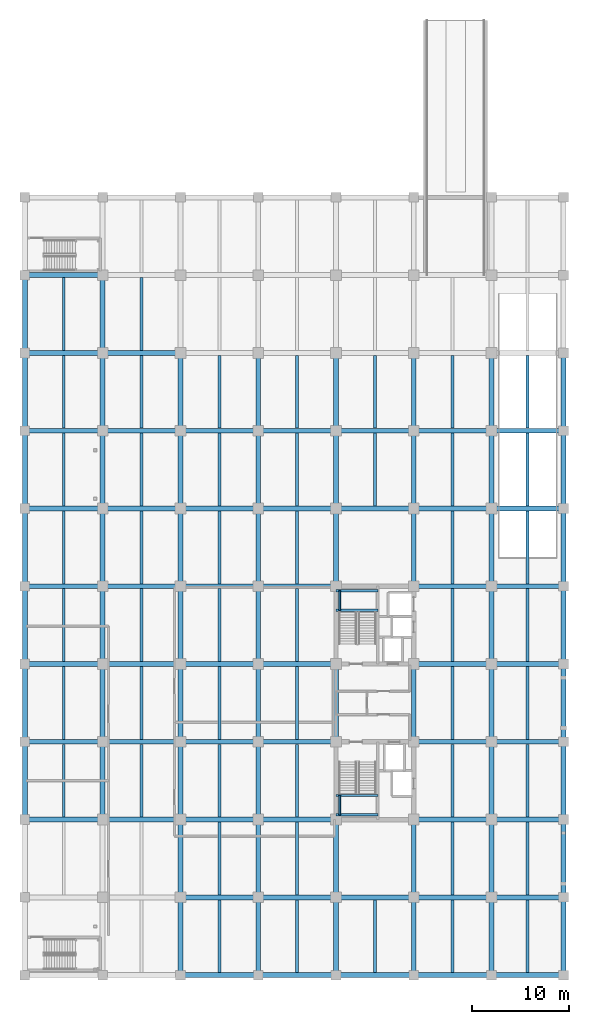
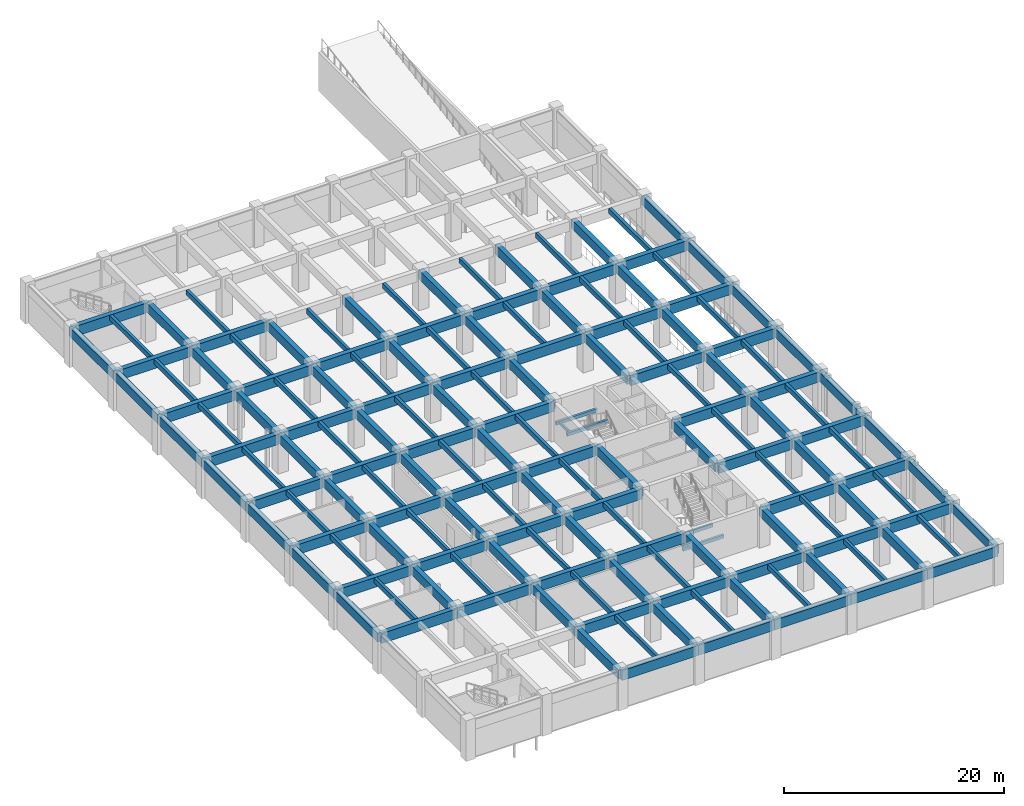
# One storey, part 7 of 16: 164 beams.
"""IFC4 building model written with IfcOpenShell, lengths in metres."""

from ifc_helpers import new_model, si_unit, direction, frame, origin, origin_2d, place, context, subcontext, project, spatial, rectangle, extrude, material, material_profile, profile_set, type_object, element, save


model = new_model("IFC4")

# Units and contexts
model_context = context("Model", 3, precision=1e-05, world=origin(), true_north=direction((0.0, 1.0)))
body_context = subcontext(model_context, "Body", "Model", "MODEL_VIEW")
ifc_project = project(units=[si_unit("LENGTHUNIT", "METRE"), si_unit("AREAUNIT", "SQUARE_METRE"), si_unit("VOLUMEUNIT", "CUBIC_METRE"), si_unit("PLANEANGLEUNIT", "RADIAN"), si_unit("MASSUNIT", "GRAM", prefix="KILO")], contexts=[model_context])

# Site, building, storey
site_placement = place(None, origin())
site = spatial("IfcSite", under=ifc_project, at=site_placement, CompositionType="ELEMENT")
building_placement = place(site_placement, origin())
building = spatial("IfcBuilding", under=site, at=building_placement, Name="Canggui Botanical Conservatory", CompositionType="ELEMENT")
storey_placement = place(building_placement, frame((0.0, 0.0, -4.5)))
storey = spatial("IfcBuildingStorey", under=building, at=storey_placement, Name="B1", CompositionType="ELEMENT", Elevation=-4.5)

# Beams
ifc_material = material(Name="Concrete C35", Category="concrete")
ifc_material_profile_1 = material_profile(ifc_material, rectangle(XDim=0.300048828125, YDim=0.550048828125, at=origin_2d()), Name="RB 300x550")
ifc_profile_set_1 = profile_set([ifc_material_profile_1], Name="Concrete C35")
beam_type_1 = type_object("IfcBeamType", Name="BM-JST01", PredefinedType="JOIST", material=ifc_profile_set_1)
for number, where, z_axis, x_axis, name in (
    (1, (126.0, 42.2548828125, 3.875), (0.0, 1.0, 0.0), (-1.0, 0.0, 0.0), "Secondary Floor Joist B1-1-3"),
    (2, (126.0, 50.2548828125, 3.875), (0.0, 1.0, 0.0), (-1.0, 0.0, 0.0), "Secondary Floor Joist B1-1-4"),
    (3, (126.0, 58.2548828125, 3.875), (0.0, 1.0, 0.0), (-1.0, 0.0, 0.0), "Secondary Floor Joist B1-1-5"),
    (4, (126.0, 66.2548828125, 3.875), (0.0, 1.0, 0.0), (-1.0, 0.0, 0.0), "Secondary Floor Joist B1-1-6"),
    (5, (126.0, 74.2548828125, 3.875), (0.0, 1.0, 0.0), (-1.0, 0.0, 0.0), "Secondary Floor Joist B1-1-7"),
    (6, (126.0, 82.2548828125, 3.875), (0.0, 1.0, 0.0), (-1.0, 0.0, 0.0), "Secondary Floor Joist B1-1-8"),
    (7, (126.0, 90.2548828125, 3.875), (0.0, 1.0, 0.0), (-1.0, 0.0, 0.0), "Secondary Floor Joist B1-1-9"),
    (8, (134.0, 42.2548828125, 3.875), (0.0, 1.0, 0.0), (-1.0, 0.0, 0.0), "Secondary Floor Joist B1-2-3"),
    (9, (134.0, 50.2548828125, 3.875), (0.0, 1.0, 0.0), (-1.0, 0.0, 0.0), "Secondary Floor Joist B1-2-4"),
    (10, (134.0, 58.2548828125, 3.875), (0.0, 1.0, 0.0), (-1.0, 0.0, 0.0), "Secondary Floor Joist B1-2-5"),
    (11, (134.0, 66.2548828125, 3.875), (0.0, 1.0, 0.0), (-1.0, 0.0, 0.0), "Secondary Floor Joist B1-2-6"),
    (12, (134.0, 74.2548828125, 3.875), (0.0, 1.0, 0.0), (-1.0, 0.0, 0.0), "Secondary Floor Joist B1-2-7"),
    (13, (134.0, 82.2548828125, 3.875), (0.0, 1.0, 0.0), (-1.0, 0.0, 0.0), "Secondary Floor Joist B1-2-8"),
    (14, (134.0, 90.2548828125, 3.875), (0.0, 1.0, 0.0), (-1.0, 0.0, 0.0), "Secondary Floor Joist B1-2-9"),
    (15, (142.0, 26.2548828125, 3.875), (0.0, 1.0, 0.0), (-1.0, 0.0, 0.0), "Secondary Floor Joist B1-3-1"),
    (16, (142.0, 34.2548828125, 3.875), (0.0, 1.0, 0.0), (-1.0, 0.0, 0.0), "Secondary Floor Joist B1-3-2"),
    (17, (142.0, 42.2548828125, 3.875), (0.0, 1.0, 0.0), (-1.0, 0.0, 0.0), "Secondary Floor Joist B1-3-3"),
    (18, (142.0, 50.2548828125, 3.875), (0.0, 1.0, 0.0), (-1.0, 0.0, 0.0), "Secondary Floor Joist B1-3-4"),
    (19, (142.0, 58.2548828125, 3.875), (0.0, 1.0, 0.0), (-1.0, 0.0, 0.0), "Secondary Floor Joist B1-3-5"),
    (20, (142.0, 66.2548828125, 3.875), (0.0, 1.0, 0.0), (-1.0, 0.0, 0.0), "Secondary Floor Joist B1-3-6"),
    (21, (142.0, 74.2548828125, 3.875), (0.0, 1.0, 0.0), (-1.0, 0.0, 0.0), "Secondary Floor Joist B1-3-7"),
    (22, (142.0, 82.2548828125, 3.875), (0.0, 1.0, 0.0), (-1.0, 0.0, 0.0), "Secondary Floor Joist B1-3-8"),
    (23, (150.0, 26.2548828125, 3.875), (0.0, 1.0, 0.0), (-1.0, 0.0, 0.0), "Secondary Floor Joist B1-4-1"),
    (24, (150.0, 34.2548828125, 3.875), (0.0, 1.0, 0.0), (-1.0, 0.0, 0.0), "Secondary Floor Joist B1-4-2"),
    (25, (150.0, 42.2548828125, 3.875), (0.0, 1.0, 0.0), (-1.0, 0.0, 0.0), "Secondary Floor Joist B1-4-3"),
    (26, (150.0, 50.2548828125, 3.875), (0.0, 1.0, 0.0), (-1.0, 0.0, 0.0), "Secondary Floor Joist B1-4-4"),
    (27, (150.0, 58.2548828125, 3.875), (0.0, 1.0, 0.0), (-1.0, 0.0, 0.0), "Secondary Floor Joist B1-4-5"),
    (28, (150.0, 66.2548828125, 3.875), (0.0, 1.0, 0.0), (-1.0, 0.0, 0.0), "Secondary Floor Joist B1-4-6"),
    (29, (150.0, 74.2548828125, 3.875), (0.0, 1.0, 0.0), (-1.0, 0.0, 0.0), "Secondary Floor Joist B1-4-7"),
    (30, (150.0, 82.2548828125, 3.875), (0.0, 1.0, 0.0), (-1.0, 0.0, 0.0), "Secondary Floor Joist B1-4-8"),
    (31, (158.0, 26.2548828125, 3.875), (0.0, 1.0, 0.0), (-1.0, 0.0, 0.0), "Secondary Floor Joist B1-5-1"),
    (32, (158.0, 74.2548828125, 3.875), (0.0, 1.0, 0.0), (-1.0, 0.0, 0.0), "Secondary Floor Joist B1-5-7"),
    (33, (158.0, 82.2548828125, 3.875), (0.0, 1.0, 0.0), (-1.0, 0.0, 0.0), "Secondary Floor Joist B1-5-8"),
    (34, (166.0, 26.2548828125, 3.875), (0.0, 1.0, 0.0), (-1.0, 0.0, 0.0), "Secondary Floor Joist B1-6-1"),
    (35, (166.0, 34.2548828125, 3.875), (0.0, 1.0, 0.0), (-1.0, 0.0, 0.0), "Secondary Floor Joist B1-6-2"),
    (36, (166.0, 42.2548828125, 3.875), (0.0, 1.0, 0.0), (-1.0, 0.0, 0.0), "Secondary Floor Joist B1-6-3"),
    (37, (166.0, 50.2548828125, 3.875), (0.0, 1.0, 0.0), (-1.0, 0.0, 0.0), "Secondary Floor Joist B1-6-4"),
    (38, (166.0, 58.2548828125, 3.875), (0.0, 1.0, 0.0), (-1.0, 0.0, 0.0), "Secondary Floor Joist B1-6-5"),
    (39, (166.0, 66.2548828125, 3.875), (0.0, 1.0, 0.0), (-1.0, 0.0, 0.0), "Secondary Floor Joist B1-6-6"),
    (40, (166.0, 74.2548828125, 3.875), (0.0, 1.0, 0.0), (-1.0, 0.0, 0.0), "Secondary Floor Joist B1-6-7"),
    (41, (166.0, 82.2548828125, 3.875), (0.0, 1.0, 0.0), (-1.0, 0.0, 0.0), "Secondary Floor Joist B1-6-8"),
    (42, (173.699951171875, 26.2548828125, 3.875), (0.0, 1.0, 0.0), (-1.0, 0.0, 0.0), "Secondary Floor Joist B1-7-1"),
    (43, (173.699951171875, 34.2548828125, 3.875), (0.0, 1.0, 0.0), (-1.0, 0.0, 0.0), "Secondary Floor Joist B1-7-2"),
    (44, (173.699951171875, 42.2548828125, 3.875), (0.0, 1.0, 0.0), (-1.0, 0.0, 0.0), "Secondary Floor Joist B1-7-3"),
    (45, (173.699951171875, 50.2548828125, 3.875), (0.0, 1.0, 0.0), (-1.0, 0.0, 0.0), "Secondary Floor Joist B1-7-4"),
    (46, (173.699951171875, 58.2548828125, 3.875), (0.0, 1.0, 0.0), (-1.0, 0.0, 0.0), "Secondary Floor Joist B1-7-5"),
    (47, (173.699951171875, 66.2548828125, 3.875), (0.0, 1.0, 0.0), (-1.0, 0.0, 0.0), "Secondary Floor Joist B1-7-6"),
    (48, (173.699951171875, 74.2548828125, 3.875), (0.0, 1.0, 0.0), (-1.0, 0.0, 0.0), "Secondary Floor Joist B1-7-7"),
    (49, (173.699951171875, 82.2548828125, 3.875), (0.0, 1.0, 0.0), (-1.0, 0.0, 0.0), "Secondary Floor Joist B1-7-8"),
):
    element("IfcBeam", number, at=place(storey_placement, frame(where, z_axis=z_axis, x_axis=x_axis)), inside=storey, type_object=beam_type_1, Name=name, PredefinedType="JOIST", context=body_context, shape_type="SweptSolid", body=[
        extrude(rectangle(XDim=0.300048828125, YDim=0.550048828125, at=origin_2d()), origin(), (0.0, 0.0, 1.0), 7.490234375),
    ])
ifc_material_profile_2 = material_profile(ifc_material, rectangle(XDim=0.5, YDim=1.10009765625, at=origin_2d()), Name="RB 500x1100")
ifc_profile_set_2 = profile_set([ifc_material_profile_2], Name="Concrete C35")
beam_type_2 = type_object("IfcBeamType", Name="BM-KL01", PredefinedType="BEAM", material=ifc_profile_set_2)
for number, where, z_axis, x_axis, name in (
    (50, (138.0, 26.0, 3.60009765625), (1.0, 0.0, 0.0), (0.0, 1.0, 0.0), "Frame Girder B1 Y26-3"),
    (51, (146.0, 26.0, 3.60009765625), (1.0, 0.0, 0.0), (0.0, 1.0, 0.0), "Frame Girder B1 Y26-4"),
    (52, (154.0, 26.0, 3.60009765625), (1.0, 0.0, 0.0), (0.0, 1.0, 0.0), "Frame Girder B1 Y26-5"),
    (53, (162.0, 26.0, 3.60009765625), (1.0, 0.0, 0.0), (0.0, 1.0, 0.0), "Frame Girder B1 Y26-6"),
):
    element("IfcBeam", number, at=place(storey_placement, frame(where, z_axis=z_axis, x_axis=x_axis)), inside=storey, type_object=beam_type_2, Name=name, PredefinedType="BEAM", context=body_context, shape_type="SweptSolid", body=[
        extrude(rectangle(XDim=0.5, YDim=1.10009765625, at=origin_2d()), origin(), (0.0, 0.0, 1.0), 8.0),
    ])
beam_1_placement = place(storey_placement, frame((170.0, 26.0, 3.60009765625), z_axis=(1.0, 0.0, 0.0), x_axis=(0.0, 1.0, 0.0)))
element("IfcBeam", 54, at=beam_1_placement, inside=storey, type_object=beam_type_2, Name="Frame Girder B1 Y26-7", PredefinedType="BEAM", context=body_context, shape_type="SweptSolid", body=[
    extrude(rectangle(XDim=0.5, YDim=1.10009765625, at=origin_2d()), origin(), (0.0, 0.0, 1.0), 7.39990234375),
])
for number, where, z_axis, x_axis, name in (
    (55, (138.0, 34.0, 3.60009765625), (1.0, 0.0, 0.0), (0.0, 1.0, 0.0), "Frame Girder B1 Y34-3"),
    (56, (146.0, 34.0, 3.60009765625), (1.0, 0.0, 0.0), (0.0, 1.0, 0.0), "Frame Girder B1 Y34-4"),
    (57, (154.0, 34.0, 3.60009765625), (1.0, 0.0, 0.0), (0.0, 1.0, 0.0), "Frame Girder B1 Y34-5"),
    (58, (162.0, 34.0, 3.60009765625), (1.0, 0.0, 0.0), (0.0, 1.0, 0.0), "Frame Girder B1 Y34-6"),
):
    element("IfcBeam", number, at=place(storey_placement, frame(where, z_axis=z_axis, x_axis=x_axis)), inside=storey, type_object=beam_type_2, Name=name, PredefinedType="BEAM", context=body_context, shape_type="SweptSolid", body=[
        extrude(rectangle(XDim=0.5, YDim=1.10009765625, at=origin_2d()), origin(), (0.0, 0.0, 1.0), 8.0),
    ])
beam_2_placement = place(storey_placement, frame((170.0, 34.0, 3.60009765625), z_axis=(1.0, 0.0, 0.0), x_axis=(0.0, 1.0, 0.0)))
element("IfcBeam", 59, at=beam_2_placement, inside=storey, type_object=beam_type_2, Name="Frame Girder B1 Y34-7", PredefinedType="BEAM", context=body_context, shape_type="SweptSolid", body=[
    extrude(rectangle(XDim=0.5, YDim=1.10009765625, at=origin_2d()), origin(), (0.0, 0.0, 1.0), 7.39990234375),
])
for number, where, z_axis, x_axis, name in (
    (60, (122.0, 42.0, 3.60009765625), (1.0, 0.0, 0.0), (0.0, 1.0, 0.0), "Frame Girder B1 Y42-1"),
    (61, (130.0, 42.0, 3.60009765625), (1.0, 0.0, 0.0), (0.0, 1.0, 0.0), "Frame Girder B1 Y42-2"),
    (62, (138.0, 42.0, 3.60009765625), (1.0, 0.0, 0.0), (0.0, 1.0, 0.0), "Frame Girder B1 Y42-3"),
    (63, (146.0, 42.0, 3.60009765625), (1.0, 0.0, 0.0), (0.0, 1.0, 0.0), "Frame Girder B1 Y42-4"),
    (64, (162.0, 42.0, 3.60009765625), (1.0, 0.0, 0.0), (0.0, 1.0, 0.0), "Frame Girder B1 Y42-6"),
):
    element("IfcBeam", number, at=place(storey_placement, frame(where, z_axis=z_axis, x_axis=x_axis)), inside=storey, type_object=beam_type_2, Name=name, PredefinedType="BEAM", context=body_context, shape_type="SweptSolid", body=[
        extrude(rectangle(XDim=0.5, YDim=1.10009765625, at=origin_2d()), origin(), (0.0, 0.0, 1.0), 8.0),
    ])
beam_3_placement = place(storey_placement, frame((170.0, 42.0, 3.60009765625), z_axis=(1.0, 0.0, 0.0), x_axis=(0.0, 1.0, 0.0)))
element("IfcBeam", 65, at=beam_3_placement, inside=storey, type_object=beam_type_2, Name="Frame Girder B1 Y42-7", PredefinedType="BEAM", context=body_context, shape_type="SweptSolid", body=[
    extrude(rectangle(XDim=0.5, YDim=1.10009765625, at=origin_2d()), origin(), (0.0, 0.0, 1.0), 7.39990234375),
])
for number, where, z_axis, x_axis, name in (
    (66, (122.0, 50.0, 3.60009765625), (1.0, 0.0, 0.0), (0.0, 1.0, 0.0), "Frame Girder B1 Y50-1"),
    (67, (130.0, 50.0, 3.60009765625), (1.0, 0.0, 0.0), (0.0, 1.0, 0.0), "Frame Girder B1 Y50-2"),
    (68, (138.0, 50.0, 3.60009765625), (1.0, 0.0, 0.0), (0.0, 1.0, 0.0), "Frame Girder B1 Y50-3"),
    (69, (146.0, 50.0, 3.60009765625), (1.0, 0.0, 0.0), (0.0, 1.0, 0.0), "Frame Girder B1 Y50-4"),
    (70, (162.0, 50.0, 3.60009765625), (1.0, 0.0, 0.0), (0.0, 1.0, 0.0), "Frame Girder B1 Y50-6"),
):
    element("IfcBeam", number, at=place(storey_placement, frame(where, z_axis=z_axis, x_axis=x_axis)), inside=storey, type_object=beam_type_2, Name=name, PredefinedType="BEAM", context=body_context, shape_type="SweptSolid", body=[
        extrude(rectangle(XDim=0.5, YDim=1.10009765625, at=origin_2d()), origin(), (0.0, 0.0, 1.0), 8.0),
    ])
beam_4_placement = place(storey_placement, frame((170.0, 50.0, 3.60009765625), z_axis=(1.0, 0.0, 0.0), x_axis=(0.0, 1.0, 0.0)))
element("IfcBeam", 71, at=beam_4_placement, inside=storey, type_object=beam_type_2, Name="Frame Girder B1 Y50-7", PredefinedType="BEAM", context=body_context, shape_type="SweptSolid", body=[
    extrude(rectangle(XDim=0.5, YDim=1.10009765625, at=origin_2d()), origin(), (0.0, 0.0, 1.0), 7.39990234375),
])
for number, where, z_axis, x_axis, name in (
    (72, (122.0, 58.0, 3.60009765625), (1.0, 0.0, 0.0), (0.0, 1.0, 0.0), "Frame Girder B1 Y58-1"),
    (73, (130.0, 58.0, 3.60009765625), (1.0, 0.0, 0.0), (0.0, 1.0, 0.0), "Frame Girder B1 Y58-2"),
    (74, (138.0, 58.0, 3.60009765625), (1.0, 0.0, 0.0), (0.0, 1.0, 0.0), "Frame Girder B1 Y58-3"),
    (75, (146.0, 58.0, 3.60009765625), (1.0, 0.0, 0.0), (0.0, 1.0, 0.0), "Frame Girder B1 Y58-4"),
    (76, (162.0, 58.0, 3.60009765625), (1.0, 0.0, 0.0), (0.0, 1.0, 0.0), "Frame Girder B1 Y58-6"),
):
    element("IfcBeam", number, at=place(storey_placement, frame(where, z_axis=z_axis, x_axis=x_axis)), inside=storey, type_object=beam_type_2, Name=name, PredefinedType="BEAM", context=body_context, shape_type="SweptSolid", body=[
        extrude(rectangle(XDim=0.5, YDim=1.10009765625, at=origin_2d()), origin(), (0.0, 0.0, 1.0), 8.0),
    ])
beam_5_placement = place(storey_placement, frame((170.0, 58.0, 3.60009765625), z_axis=(1.0, 0.0, 0.0), x_axis=(0.0, 1.0, 0.0)))
element("IfcBeam", 77, at=beam_5_placement, inside=storey, type_object=beam_type_2, Name="Frame Girder B1 Y58-7", PredefinedType="BEAM", context=body_context, shape_type="SweptSolid", body=[
    extrude(rectangle(XDim=0.5, YDim=1.10009765625, at=origin_2d()), origin(), (0.0, 0.0, 1.0), 7.39990234375),
])
for number, where, z_axis, x_axis, name in (
    (78, (122.0, 66.0, 3.60009765625), (1.0, 0.0, 0.0), (0.0, 1.0, 0.0), "Frame Girder B1 Y66-1"),
    (79, (130.0, 66.0, 3.60009765625), (1.0, 0.0, 0.0), (0.0, 1.0, 0.0), "Frame Girder B1 Y66-2"),
    (80, (138.0, 66.0, 3.60009765625), (1.0, 0.0, 0.0), (0.0, 1.0, 0.0), "Frame Girder B1 Y66-3"),
    (81, (146.0, 66.0, 3.60009765625), (1.0, 0.0, 0.0), (0.0, 1.0, 0.0), "Frame Girder B1 Y66-4"),
    (82, (162.0, 66.0, 3.60009765625), (1.0, 0.0, 0.0), (0.0, 1.0, 0.0), "Frame Girder B1 Y66-6"),
):
    element("IfcBeam", number, at=place(storey_placement, frame(where, z_axis=z_axis, x_axis=x_axis)), inside=storey, type_object=beam_type_2, Name=name, PredefinedType="BEAM", context=body_context, shape_type="SweptSolid", body=[
        extrude(rectangle(XDim=0.5, YDim=1.10009765625, at=origin_2d()), origin(), (0.0, 0.0, 1.0), 8.0),
    ])
beam_6_placement = place(storey_placement, frame((170.0, 66.0, 3.60009765625), z_axis=(1.0, 0.0, 0.0), x_axis=(0.0, 1.0, 0.0)))
element("IfcBeam", 83, at=beam_6_placement, inside=storey, type_object=beam_type_2, Name="Frame Girder B1 Y66-7", PredefinedType="BEAM", context=body_context, shape_type="SweptSolid", body=[
    extrude(rectangle(XDim=0.5, YDim=1.10009765625, at=origin_2d()), origin(), (0.0, 0.0, 1.0), 7.39990234375),
])
for number, where, z_axis, x_axis, name in (
    (84, (122.0, 74.0, 3.60009765625), (1.0, 0.0, 0.0), (0.0, 1.0, 0.0), "Frame Girder B1 Y74-1"),
    (85, (130.0, 74.0, 3.60009765625), (1.0, 0.0, 0.0), (0.0, 1.0, 0.0), "Frame Girder B1 Y74-2"),
    (86, (138.0, 74.0, 3.60009765625), (1.0, 0.0, 0.0), (0.0, 1.0, 0.0), "Frame Girder B1 Y74-3"),
    (87, (146.0, 74.0, 3.60009765625), (1.0, 0.0, 0.0), (0.0, 1.0, 0.0), "Frame Girder B1 Y74-4"),
    (88, (154.0, 74.0, 3.60009765625), (1.0, 0.0, 0.0), (0.0, 1.0, 0.0), "Frame Girder B1 Y74-5"),
    (89, (162.0, 74.0, 3.60009765625), (1.0, 0.0, 0.0), (0.0, 1.0, 0.0), "Frame Girder B1 Y74-6"),
):
    element("IfcBeam", number, at=place(storey_placement, frame(where, z_axis=z_axis, x_axis=x_axis)), inside=storey, type_object=beam_type_2, Name=name, PredefinedType="BEAM", context=body_context, shape_type="SweptSolid", body=[
        extrude(rectangle(XDim=0.5, YDim=1.10009765625, at=origin_2d()), origin(), (0.0, 0.0, 1.0), 8.0),
    ])
beam_7_placement = place(storey_placement, frame((170.0, 74.0, 3.60009765625), z_axis=(1.0, 0.0, 0.0), x_axis=(0.0, 1.0, 0.0)))
element("IfcBeam", 90, at=beam_7_placement, inside=storey, type_object=beam_type_2, Name="Frame Girder B1 Y74-7", PredefinedType="BEAM", context=body_context, shape_type="SweptSolid", body=[
    extrude(rectangle(XDim=0.5, YDim=1.10009765625, at=origin_2d()), origin(), (0.0, 0.0, 1.0), 7.39990234375),
])
for number, where, z_axis, x_axis, name in (
    (91, (122.0, 82.0, 3.60009765625), (1.0, 0.0, 0.0), (0.0, 1.0, 0.0), "Frame Girder B1 Y82-1"),
    (92, (130.0, 82.0, 3.60009765625), (1.0, 0.0, 0.0), (0.0, 1.0, 0.0), "Frame Girder B1 Y82-2"),
    (93, (138.0, 82.0, 3.60009765625), (1.0, 0.0, 0.0), (0.0, 1.0, 0.0), "Frame Girder B1 Y82-3"),
    (94, (146.0, 82.0, 3.60009765625), (1.0, 0.0, 0.0), (0.0, 1.0, 0.0), "Frame Girder B1 Y82-4"),
    (95, (154.0, 82.0, 3.60009765625), (1.0, 0.0, 0.0), (0.0, 1.0, 0.0), "Frame Girder B1 Y82-5"),
    (96, (162.0, 82.0, 3.60009765625), (1.0, 0.0, 0.0), (0.0, 1.0, 0.0), "Frame Girder B1 Y82-6"),
):
    element("IfcBeam", number, at=place(storey_placement, frame(where, z_axis=z_axis, x_axis=x_axis)), inside=storey, type_object=beam_type_2, Name=name, PredefinedType="BEAM", context=body_context, shape_type="SweptSolid", body=[
        extrude(rectangle(XDim=0.5, YDim=1.10009765625, at=origin_2d()), origin(), (0.0, 0.0, 1.0), 8.0),
    ])
beam_8_placement = place(storey_placement, frame((170.0, 82.0, 3.60009765625), z_axis=(1.0, 0.0, 0.0), x_axis=(0.0, 1.0, 0.0)))
element("IfcBeam", 97, at=beam_8_placement, inside=storey, type_object=beam_type_2, Name="Frame Girder B1 Y82-7", PredefinedType="BEAM", context=body_context, shape_type="SweptSolid", body=[
    extrude(rectangle(XDim=0.5, YDim=1.10009765625, at=origin_2d()), origin(), (0.0, 0.0, 1.0), 7.39990234375),
])
for number, where, z_axis, x_axis, name in (
    (98, (122.0, 90.0, 3.60009765625), (1.0, 0.0, 0.0), (0.0, 1.0, 0.0), "Frame Girder B1 Y90-1"),
    (99, (130.0, 90.0, 3.60009765625), (1.0, 0.0, 0.0), (0.0, 1.0, 0.0), "Frame Girder B1 Y90-2"),
    (100, (122.0, 98.0, 3.60009765625), (1.0, 0.0, 0.0), (0.0, 1.0, 0.0), "Frame Girder B1 Y98-1"),
):
    element("IfcBeam", number, at=place(storey_placement, frame(where, z_axis=z_axis, x_axis=x_axis)), inside=storey, type_object=beam_type_2, Name=name, PredefinedType="BEAM", context=body_context, shape_type="SweptSolid", body=[
        extrude(rectangle(XDim=0.5, YDim=1.10009765625, at=origin_2d()), origin(), (0.0, 0.0, 1.0), 8.0),
    ])
ifc_material_profile_3 = material_profile(ifc_material, rectangle(XDim=0.5, YDim=1.0, at=origin_2d()), Name="RB 500x1000")
ifc_profile_set_3 = profile_set([ifc_material_profile_3], Name="Concrete C35")
beam_type_3 = type_object("IfcBeamType", Name="BM-KL02", PredefinedType="BEAM", material=ifc_profile_set_3)
for number, where, z_axis, x_axis, name in (
    (101, (122.0, 42.0, 3.64990234375), (0.0, 1.0, 0.0), (-1.0, 0.0, 0.0), "Frame Girder B1 X122-3"),
    (102, (122.0, 50.0, 3.64990234375), (0.0, 1.0, 0.0), (-1.0, 0.0, 0.0), "Frame Girder B1 X122-4"),
    (103, (122.0, 58.0, 3.64990234375), (0.0, 1.0, 0.0), (-1.0, 0.0, 0.0), "Frame Girder B1 X122-5"),
    (104, (122.0, 66.0, 3.64990234375), (0.0, 1.0, 0.0), (-1.0, 0.0, 0.0), "Frame Girder B1 X122-6"),
    (105, (122.0, 74.0, 3.64990234375), (0.0, 1.0, 0.0), (-1.0, 0.0, 0.0), "Frame Girder B1 X122-7"),
    (106, (122.0, 82.0, 3.64990234375), (0.0, 1.0, 0.0), (-1.0, 0.0, 0.0), "Frame Girder B1 X122-8"),
    (107, (122.0, 90.0, 3.64990234375), (0.0, 1.0, 0.0), (-1.0, 0.0, 0.0), "Frame Girder B1 X122-9"),
    (108, (130.0, 42.0, 3.64990234375), (0.0, 1.0, 0.0), (-1.0, 0.0, 0.0), "Frame Girder B1 X130-3"),
    (109, (130.0, 50.0, 3.64990234375), (0.0, 1.0, 0.0), (-1.0, 0.0, 0.0), "Frame Girder B1 X130-4"),
    (110, (130.0, 58.0, 3.64990234375), (0.0, 1.0, 0.0), (-1.0, 0.0, 0.0), "Frame Girder B1 X130-5"),
    (111, (130.0, 66.0, 3.64990234375), (0.0, 1.0, 0.0), (-1.0, 0.0, 0.0), "Frame Girder B1 X130-6"),
    (112, (130.0, 74.0, 3.64990234375), (0.0, 1.0, 0.0), (-1.0, 0.0, 0.0), "Frame Girder B1 X130-7"),
    (113, (130.0, 82.0, 3.64990234375), (0.0, 1.0, 0.0), (-1.0, 0.0, 0.0), "Frame Girder B1 X130-8"),
    (114, (130.0, 90.0, 3.64990234375), (0.0, 1.0, 0.0), (-1.0, 0.0, 0.0), "Frame Girder B1 X130-9"),
    (115, (138.0, 26.0, 3.64990234375), (0.0, 1.0, 0.0), (-1.0, 0.0, 0.0), "Frame Girder B1 X138-1"),
    (116, (138.0, 34.0, 3.64990234375), (0.0, 1.0, 0.0), (-1.0, 0.0, 0.0), "Frame Girder B1 X138-2"),
    (117, (138.0, 42.0, 3.64990234375), (0.0, 1.0, 0.0), (-1.0, 0.0, 0.0), "Frame Girder B1 X138-3"),
    (118, (138.0, 50.0, 3.64990234375), (0.0, 1.0, 0.0), (-1.0, 0.0, 0.0), "Frame Girder B1 X138-4"),
    (119, (138.0, 58.0, 3.64990234375), (0.0, 1.0, 0.0), (-1.0, 0.0, 0.0), "Frame Girder B1 X138-5"),
    (120, (138.0, 66.0, 3.64990234375), (0.0, 1.0, 0.0), (-1.0, 0.0, 0.0), "Frame Girder B1 X138-6"),
    (121, (138.0, 74.0, 3.64990234375), (0.0, 1.0, 0.0), (-1.0, 0.0, 0.0), "Frame Girder B1 X138-7"),
    (122, (138.0, 82.0, 3.64990234375), (0.0, 1.0, 0.0), (-1.0, 0.0, 0.0), "Frame Girder B1 X138-8"),
    (123, (146.0, 26.0, 3.64990234375), (0.0, 1.0, 0.0), (-1.0, 0.0, 0.0), "Frame Girder B1 X146-1"),
    (124, (146.0, 34.0, 3.64990234375), (0.0, 1.0, 0.0), (-1.0, 0.0, 0.0), "Frame Girder B1 X146-2"),
    (125, (146.0, 42.0, 3.64990234375), (0.0, 1.0, 0.0), (-1.0, 0.0, 0.0), "Frame Girder B1 X146-3"),
    (126, (146.0, 50.0, 3.64990234375), (0.0, 1.0, 0.0), (-1.0, 0.0, 0.0), "Frame Girder B1 X146-4"),
    (127, (146.0, 58.0, 3.64990234375), (0.0, 1.0, 0.0), (-1.0, 0.0, 0.0), "Frame Girder B1 X146-5"),
    (128, (146.0, 66.0, 3.64990234375), (0.0, 1.0, 0.0), (-1.0, 0.0, 0.0), "Frame Girder B1 X146-6"),
    (129, (146.0, 74.0, 3.64990234375), (0.0, 1.0, 0.0), (-1.0, 0.0, 0.0), "Frame Girder B1 X146-7"),
    (130, (146.0, 82.0, 3.64990234375), (0.0, 1.0, 0.0), (-1.0, 0.0, 0.0), "Frame Girder B1 X146-8"),
    (131, (154.0, 26.0, 3.64990234375), (0.0, 1.0, 0.0), (-1.0, 0.0, 0.0), "Frame Girder B1 X154-1"),
    (132, (154.0, 34.0, 3.64990234375), (0.0, 1.0, 0.0), (-1.0, 0.0, 0.0), "Frame Girder B1 X154-2"),
    (133, (154.0, 50.0, 3.64990234375), (0.0, 1.0, 0.0), (-1.0, 0.0, 0.0), "Frame Girder B1 X154-4"),
    (134, (154.0, 66.0, 3.64990234375), (0.0, 1.0, 0.0), (-1.0, 0.0, 0.0), "Frame Girder B1 X154-6"),
    (135, (154.0, 74.0, 3.64990234375), (0.0, 1.0, 0.0), (-1.0, 0.0, 0.0), "Frame Girder B1 X154-7"),
    (136, (154.0, 82.0, 3.64990234375), (0.0, 1.0, 0.0), (-1.0, 0.0, 0.0), "Frame Girder B1 X154-8"),
    (137, (162.0, 26.0, 3.64990234375), (0.0, 1.0, 0.0), (-1.0, 0.0, 0.0), "Frame Girder B1 X162-1"),
    (138, (162.0, 34.0, 3.64990234375), (0.0, 1.0, 0.0), (-1.0, 0.0, 0.0), "Frame Girder B1 X162-2"),
    (139, (162.0, 50.0, 3.64990234375), (0.0, 1.0, 0.0), (-1.0, 0.0, 0.0), "Frame Girder B1 X162-4"),
    (140, (162.0, 66.0, 3.64990234375), (0.0, 1.0, 0.0), (-1.0, 0.0, 0.0), "Frame Girder B1 X162-6"),
    (141, (162.0, 74.0, 3.64990234375), (0.0, 1.0, 0.0), (-1.0, 0.0, 0.0), "Frame Girder B1 X162-7"),
    (142, (162.0, 82.0, 3.64990234375), (0.0, 1.0, 0.0), (-1.0, 0.0, 0.0), "Frame Girder B1 X162-8"),
    (143, (170.0, 26.0, 3.64990234375), (0.0, 1.0, 0.0), (-1.0, 0.0, 0.0), "Frame Girder B1 X170-1"),
    (144, (170.0, 34.0, 3.64990234375), (0.0, 1.0, 0.0), (-1.0, 0.0, 0.0), "Frame Girder B1 X170-2"),
    (145, (170.0, 42.0, 3.64990234375), (0.0, 1.0, 0.0), (-1.0, 0.0, 0.0), "Frame Girder B1 X170-3"),
    (146, (170.0, 50.0, 3.64990234375), (0.0, 1.0, 0.0), (-1.0, 0.0, 0.0), "Frame Girder B1 X170-4"),
    (147, (170.0, 58.0, 3.64990234375), (0.0, 1.0, 0.0), (-1.0, 0.0, 0.0), "Frame Girder B1 X170-5"),
    (148, (170.0, 66.0, 3.64990234375), (0.0, 1.0, 0.0), (-1.0, 0.0, 0.0), "Frame Girder B1 X170-6"),
    (149, (170.0, 74.0, 3.64990234375), (0.0, 1.0, 0.0), (-1.0, 0.0, 0.0), "Frame Girder B1 X170-7"),
    (150, (170.0, 82.0, 3.64990234375), (0.0, 1.0, 0.0), (-1.0, 0.0, 0.0), "Frame Girder B1 X170-8"),
    (151, (177.39990234375, 26.0, 3.64990234375), (0.0, 1.0, 0.0), (-1.0, 0.0, 0.0), "Frame Girder B1 X178-1"),
    (152, (177.39990234375, 34.0, 3.64990234375), (0.0, 1.0, 0.0), (-1.0, 0.0, 0.0), "Frame Girder B1 X178-2"),
    (153, (177.39990234375, 42.0, 3.64990234375), (0.0, 1.0, 0.0), (-1.0, 0.0, 0.0), "Frame Girder B1 X178-3"),
    (154, (177.39990234375, 50.0, 3.64990234375), (0.0, 1.0, 0.0), (-1.0, 0.0, 0.0), "Frame Girder B1 X178-4"),
    (155, (177.39990234375, 58.0, 3.64990234375), (0.0, 1.0, 0.0), (-1.0, 0.0, 0.0), "Frame Girder B1 X178-5"),
    (156, (177.39990234375, 66.0, 3.64990234375), (0.0, 1.0, 0.0), (-1.0, 0.0, 0.0), "Frame Girder B1 X178-6"),
    (157, (177.39990234375, 74.0, 3.64990234375), (0.0, 1.0, 0.0), (-1.0, 0.0, 0.0), "Frame Girder B1 X178-7"),
    (158, (177.39990234375, 82.0, 3.64990234375), (0.0, 1.0, 0.0), (-1.0, 0.0, 0.0), "Frame Girder B1 X178-8"),
):
    element("IfcBeam", number, at=place(storey_placement, frame(where, z_axis=z_axis, x_axis=x_axis)), inside=storey, type_object=beam_type_3, Name=name, PredefinedType="BEAM", context=body_context, shape_type="SweptSolid", body=[
        extrude(rectangle(XDim=0.5, YDim=1.0, at=origin_2d()), origin(), (0.0, 0.0, 1.0), 8.0),
    ])
ifc_material_profile_4 = material_profile(ifc_material, rectangle(XDim=0.239990234375, YDim=0.360107421875, at=origin_2d()), Name="RB 240x360")
ifc_profile_set_4 = profile_set([ifc_material_profile_4], Name="Concrete C35")
beam_type_4 = type_object("IfcBeamType", Name="BM-LIN01", PredefinedType="LINTEL", material=ifc_profile_set_4)
for number, where, z_axis, x_axis, name in (
    (159, (154.0, 42.47998046875, 1.8701171875), (1.0, 0.0, 0.0), (0.0, 1.0, 0.0), "ST-T1 Half-Landing Ledger Beam B1-1.1"),
    (160, (154.0, 44.484619140625, 1.8701171875), (1.0, 0.0, 0.0), (0.0, 1.0, 0.0), "ST-T1 Half-Landing Ledger Beam B1-1.2"),
    (161, (154.0, 63.515380859375, 1.8701171875), (1.0, 0.0, 0.0), (0.0, 1.0, 0.0), "ST-T2 Half-Landing Ledger Beam B1-1.1"),
    (162, (154.0, 65.52001953125, 1.8701171875), (1.0, 0.0, 0.0), (0.0, 1.0, 0.0), "ST-T2 Half-Landing Ledger Beam B1-1.2"),
):
    element("IfcBeam", number, at=place(storey_placement, frame(where, z_axis=z_axis, x_axis=x_axis)), inside=storey, type_object=beam_type_4, Name=name, PredefinedType="LINTEL", context=body_context, shape_type="SweptSolid", body=[
        extrude(rectangle(XDim=0.239990234375, YDim=0.360107421875, at=origin_2d()), origin(), (0.0, 0.0, 1.0), 4.300048828125),
    ])
ifc_material_profile_5 = material_profile(ifc_material, rectangle(XDim=0.199951171875, YDim=0.320068359375, at=origin_2d()), Name="RB 200x320")
ifc_profile_set_5 = profile_set([ifc_material_profile_5], Name="Concrete C35")
beam_type_5 = type_object("IfcBeamType", Name="BM-LIN02", PredefinedType="LINTEL", material=ifc_profile_set_5)
for number, where, z_axis, x_axis, name in (
    (163, (154.3798828125, 42.47998046875, 1.8701171875), (0.0, 1.0, 0.0), (-1.0, 0.0, 0.0), "ST-T1 Half-Landing Edge Ledger B1-1.3"),
    (164, (154.3798828125, 63.515380859375, 1.8701171875), (0.0, 1.0, 0.0), (-1.0, 0.0, 0.0), "ST-T2 Half-Landing Edge Ledger B1-1.3"),
):
    element("IfcBeam", number, at=place(storey_placement, frame(where, z_axis=z_axis, x_axis=x_axis)), inside=storey, type_object=beam_type_5, Name=name, PredefinedType="LINTEL", context=body_context, shape_type="SweptSolid", body=[
        extrude(rectangle(XDim=0.199951171875, YDim=0.320068359375, at=origin_2d()), origin(), (0.0, 0.0, 1.0), 2.004638671875),
    ])

save(model, "model.ifc")
